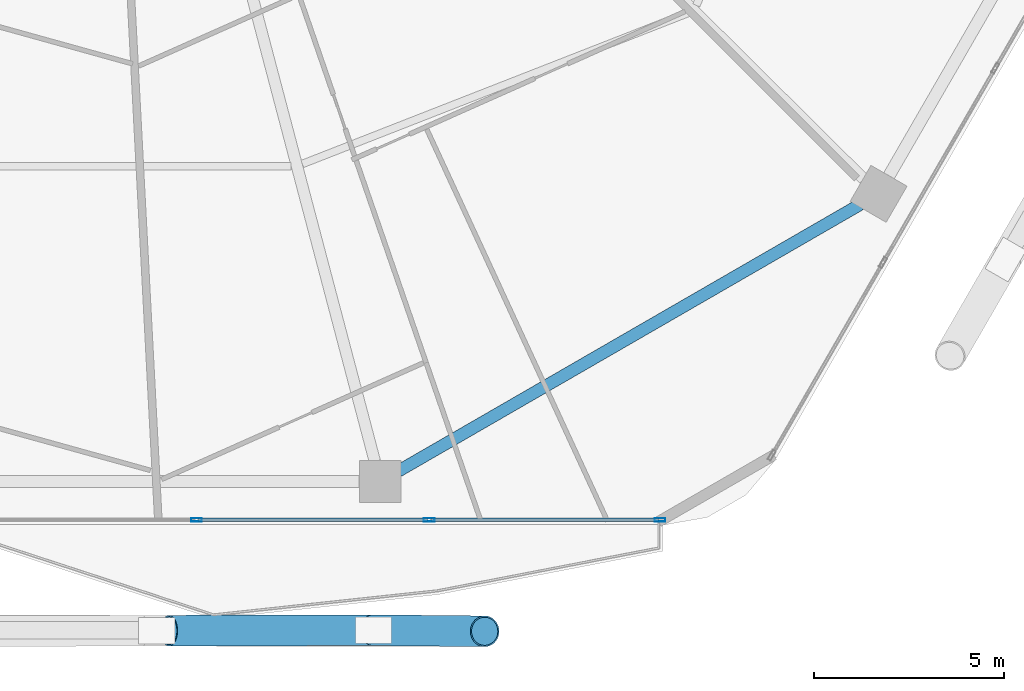
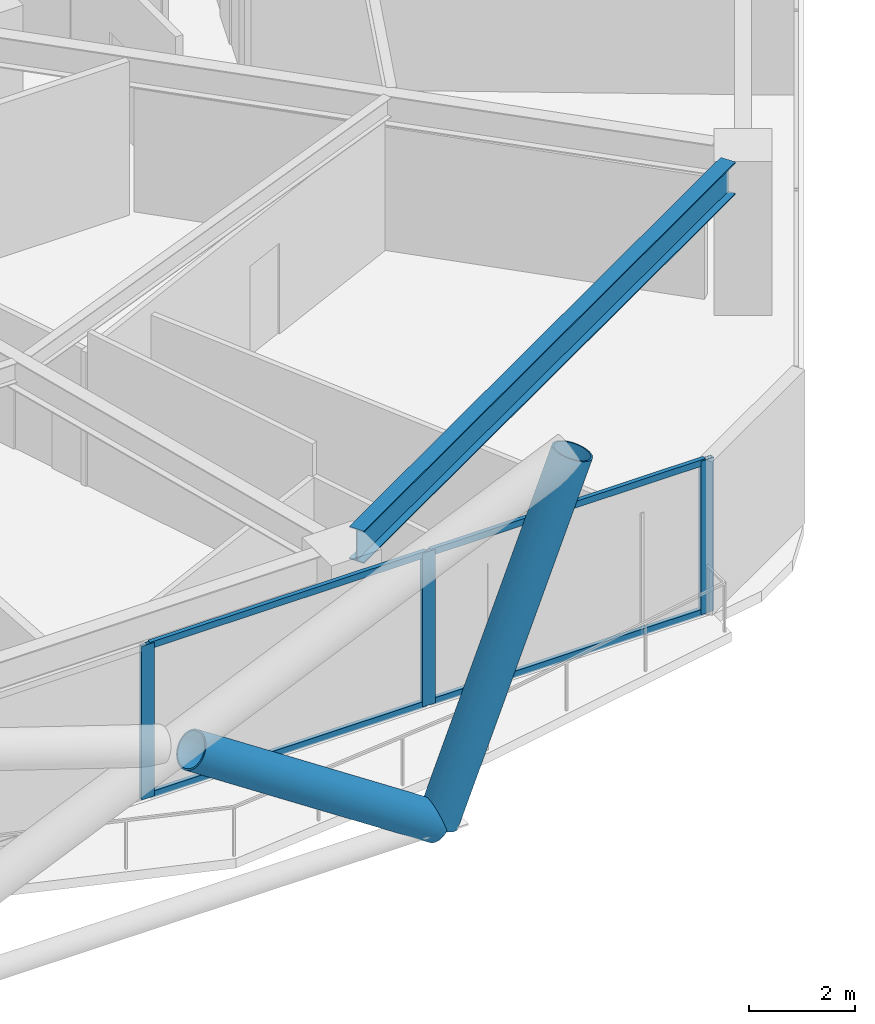
# One storey, part 7 of 35: 9 members, 1 beam, 1 element without a shape of its own.
"""IFC4 building model written with IfcOpenShell, lengths in metres."""

from ifc_helpers import new_model, si_unit, direction, frame, origin, origin_2d, place, context, subcontext, project, spatial, hollow_rectangle, hollow_circle, i_section, extrude, material, material_profile, profile_set, type_object, element, aggregate, save


model = new_model("IFC4")

# Units and contexts
model_context = context("Model", 3, precision=1e-05, world=origin(), true_north=direction((0.0, 1.0)))
body_context = subcontext(model_context, "Body", "Model", "MODEL_VIEW")
ifc_project = project(units=[si_unit("LENGTHUNIT", "METRE"), si_unit("AREAUNIT", "SQUARE_METRE"), si_unit("VOLUMEUNIT", "CUBIC_METRE"), si_unit("PLANEANGLEUNIT", "RADIAN"), si_unit("MASSUNIT", "GRAM", prefix="KILO")], contexts=[model_context])

# Site, building, storey
site_placement = place(None, origin())
site = spatial("IfcSite", under=ifc_project, at=site_placement, CompositionType="ELEMENT")
building_placement = place(site_placement, origin())
building = spatial("IfcBuilding", under=site, at=building_placement, Name="Zuhravey Tower", CompositionType="ELEMENT")
storey_placement = place(building_placement, frame((0.0, 0.0, 115.199951171875)))
storey = spatial("IfcBuildingStorey", under=building, at=storey_placement, Name="L28", CompositionType="ELEMENT", Elevation=115.199951171875)

# Curtain wall, members
ifc_material_1 = material(Name="Thermally broken anodised aluminium", Category="aluminium")
curtain_wall_type = type_object("IfcCurtainWallType", Name="Zone 1-2 Residential Curtain Wall CW3", PredefinedType="NOTDEFINED", material=ifc_material_1)
curtain_wall_placement = place(storey_placement, origin())
curtain_wall = element("IfcCurtainWall", 1, at=curtain_wall_placement, inside=storey, type_object=curtain_wall_type, Name="L28 CW3 CW-L28-F5-1", PredefinedType="NOTDEFINED")
ifc_material_2 = material(Name="Anodised aluminium", Category="aluminium")
ifc_material_profile_1 = material_profile(ifc_material_2, hollow_rectangle(XDim=0.090087890625, YDim=0.284912109375, WallThickness=0.0048828125, at=origin_2d()), Name="ALU-RHS-90x285x5")
ifc_profile_set_1 = profile_set([ifc_material_profile_1], Name="Anodised aluminium")
member_type_1 = type_object("IfcMemberType", Name="Curtain-Wall Mullion 90x180", PredefinedType="MULLION", material=ifc_profile_set_1)
member_1_placement = place(storey_placement, frame((50.75439453125, 3.04150390625, 0.0), z_axis=(0.0, 0.0, 1.0), x_axis=(0.0, -1.0, 0.0)))
member_1 = element("IfcMember", 2, at=member_1_placement, type_object=member_type_1, Name="CW3 mullion 1", PredefinedType="MULLION", context=body_context, shape_type="SweptSolid", body=[
    extrude(hollow_rectangle(XDim=0.090087890625, YDim=0.284912109375, WallThickness=0.0048828125, at=origin_2d()), origin(), (0.0, 0.0, 1.0), 3.550048828125),
])
member_2_placement = place(storey_placement, frame((44.662353515625, 3.04150390625, 0.0), z_axis=(0.0, 0.0, 1.0), x_axis=(0.0, -1.0, 0.0)))
member_2 = element("IfcMember", 3, at=member_2_placement, type_object=member_type_1, Name="CW3 mullion 2", PredefinedType="MULLION", context=body_context, shape_type="SweptSolid", body=[
    extrude(hollow_rectangle(XDim=0.090087890625, YDim=0.284912109375, WallThickness=0.0048828125, at=origin_2d()), origin(), (0.0, 0.0, 1.0), 3.550048828125),
])
member_3_placement = place(storey_placement, frame((38.52490234375, 3.04150390625, 0.0), z_axis=(0.0, 0.0, 1.0), x_axis=(0.0, -1.0, 0.0)))
member_3 = element("IfcMember", 4, at=member_3_placement, type_object=member_type_1, Name="CW3 mullion 3", PredefinedType="MULLION", context=body_context, shape_type="SweptSolid", body=[
    extrude(hollow_rectangle(XDim=0.090087890625, YDim=0.284912109375, WallThickness=0.0048828125, at=origin_2d()), origin(), (0.0, 0.0, 1.0), 3.550048828125),
])
ifc_material_profile_2 = material_profile(ifc_material_2, hollow_rectangle(XDim=0.090087890625, YDim=0.14990234375, WallThickness=0.0048828125, at=origin_2d()), Name="ALU-RHS-90x150x5")
ifc_profile_set_2 = profile_set([ifc_material_profile_2], Name="Anodised aluminium")
member_type_2 = type_object("IfcMemberType", Name="Curtain-Wall Transom 90x150", PredefinedType="USERDEFINED", material=ifc_profile_set_2)
member_4_placement = place(storey_placement, frame((50.70947265625, 3.04150390625, 0.045166015625), z_axis=(-1.0, 0.0, 0.0), x_axis=(0.0, -1.0, 0.0)))
member_4 = element("IfcMember", 5, at=member_4_placement, type_object=member_type_2, Name="CW3 transom 1.1", ObjectType="TRANSOM", PredefinedType="USERDEFINED", context=body_context, shape_type="SweptSolid", body=[
    extrude(hollow_rectangle(XDim=0.090087890625, YDim=0.14990234375, WallThickness=0.0048828125, at=origin_2d()), origin(), (0.0, 0.0, 1.0), 6.002197265625),
])
member_5_placement = place(storey_placement, frame((50.70947265625, 3.04150390625, 3.505126953125), z_axis=(-1.0, 0.0, 0.0), x_axis=(0.0, -1.0, 0.0)))
member_5 = element("IfcMember", 6, at=member_5_placement, type_object=member_type_2, Name="CW3 transom 1.2", ObjectType="TRANSOM", PredefinedType="USERDEFINED", context=body_context, shape_type="SweptSolid", body=[
    extrude(hollow_rectangle(XDim=0.090087890625, YDim=0.14990234375, WallThickness=0.0048828125, at=origin_2d()), origin(), (0.0, 0.0, 1.0), 6.002197265625),
])
member_6_placement = place(storey_placement, frame((44.6171875, 3.04150390625, 0.045166015625), z_axis=(-1.0, 0.0, 0.0), x_axis=(0.0, -1.0, 0.0)))
member_6 = element("IfcMember", 7, at=member_6_placement, type_object=member_type_2, Name="CW3 transom 2.1", ObjectType="TRANSOM", PredefinedType="USERDEFINED", context=body_context, shape_type="SweptSolid", body=[
    extrude(hollow_rectangle(XDim=0.090087890625, YDim=0.14990234375, WallThickness=0.0048828125, at=origin_2d()), origin(), (0.0, 0.0, 1.0), 6.047119140625),
])
member_7_placement = place(storey_placement, frame((44.6171875, 3.04150390625, 3.505126953125), z_axis=(-1.0, 0.0, 0.0), x_axis=(0.0, -1.0, 0.0)))
member_7 = element("IfcMember", 8, at=member_7_placement, type_object=member_type_2, Name="CW3 transom 2.2", ObjectType="TRANSOM", PredefinedType="USERDEFINED", context=body_context, shape_type="SweptSolid", body=[
    extrude(hollow_rectangle(XDim=0.090087890625, YDim=0.14990234375, WallThickness=0.0048828125, at=origin_2d()), origin(), (0.0, 0.0, 1.0), 6.047119140625),
])
aggregate(curtain_wall, [member_1, member_2, member_3, member_4, member_5, member_6, member_7])

# Members
ifc_material_3 = material(Name="Steel SM460", Category="steel")
ifc_material_profile_3 = material_profile(ifc_material_3, hollow_circle(Radius=0.406494140625, WallThickness=0.035888671875, at=origin_2d()), Name="CHS-812.8x36")
ifc_profile_set_3 = profile_set([ifc_material_profile_3], Name="Steel SM460")
member_type_3 = type_object("IfcMemberType", Name="Exoskeleton Zone 1 Diagrid CHS813x36", PredefinedType="BRACE", material=ifc_profile_set_3)
member_8_placement = place(storey_placement, frame((43.202392578125, 0.13134765625, -0.44189453125), z_axis=(0.36108971675, -0.003675980094, 0.932523835421), x_axis=(0.010179712835, 0.999948185381, 0.0)))
element("IfcMember", 9, at=member_8_placement, inside=storey, type_object=member_type_3, Name="L28 Face 5 Diagrid Brace 4", PredefinedType="BRACE", context=body_context, shape_type="SweptSolid", body=[
    extrude(hollow_circle(Radius=0.406494140625, WallThickness=0.035888671875, at=origin_2d()), origin(), (0.0, 0.0, 1.0), 8.1025390625),
])
member_9_placement = place(storey_placement, frame((43.148193359375, 0.13134765625, -0.43359375), z_axis=(-0.833053584113, -0.002168320667, 0.55318805517), x_axis=(0.002602849761, -0.999996612581, 0.0)))
element("IfcMember", 10, at=member_9_placement, inside=storey, type_object=member_type_3, Name="L28 Face 5 Split Diagrid Brace 3A", PredefinedType="BRACE", context=body_context, shape_type="SweptSolid", body=[
    extrude(hollow_circle(Radius=0.406494140625, WallThickness=0.035888671875, at=origin_2d()), origin(), (0.0, 0.0, 1.0), 6.41796875),
])

# Beam
ifc_material_4 = material(Name="Steel SM355", Category="steel")
ifc_material_profile_4 = material_profile(ifc_material_4, i_section(OverallWidth=0.320068359375, OverallDepth=0.75, WebThickness=0.013916015625, FlangeThickness=0.02490234375, at=origin_2d()), Name="H-750x320x14x25")
ifc_profile_set_4 = profile_set([ifc_material_profile_4], Name="Steel SM355")
beam_type = type_object("IfcBeamType", Name="Perimeter Ring Beam H750x320", PredefinedType="BEAM", material=ifc_profile_set_4)
beam_placement = place(storey_placement, frame((43.848876953125, 4.327880859375, 3.175048828125), z_axis=(0.866017786538, 0.500013193225, 0.0), x_axis=(-0.500013193225, 0.866017786538, 0.0)))
element("IfcBeam", 11, at=beam_placement, inside=storey, type_object=beam_type, Name="L28 PB1 BM-L28-PB-10", PredefinedType="BEAM", context=body_context, shape_type="SweptSolid", body=[
    extrude(i_section(OverallWidth=0.320068359375, OverallDepth=0.75, WebThickness=0.013916015625, FlangeThickness=0.02490234375, at=origin_2d()), origin(), (0.0, 0.0, 1.0), 14.0771484375),
])

save(model, "model.ifc")
